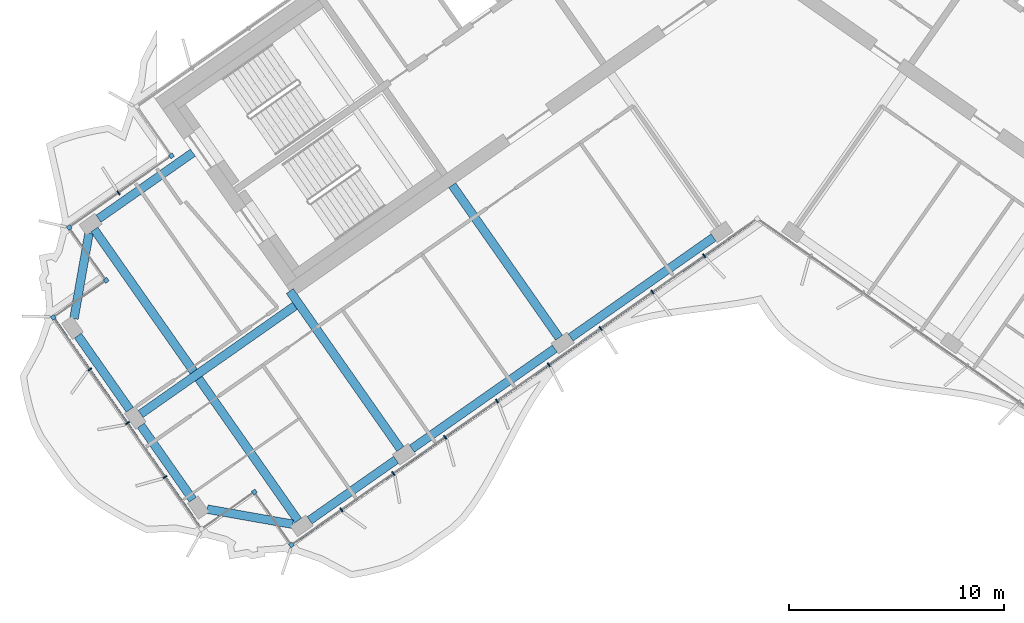
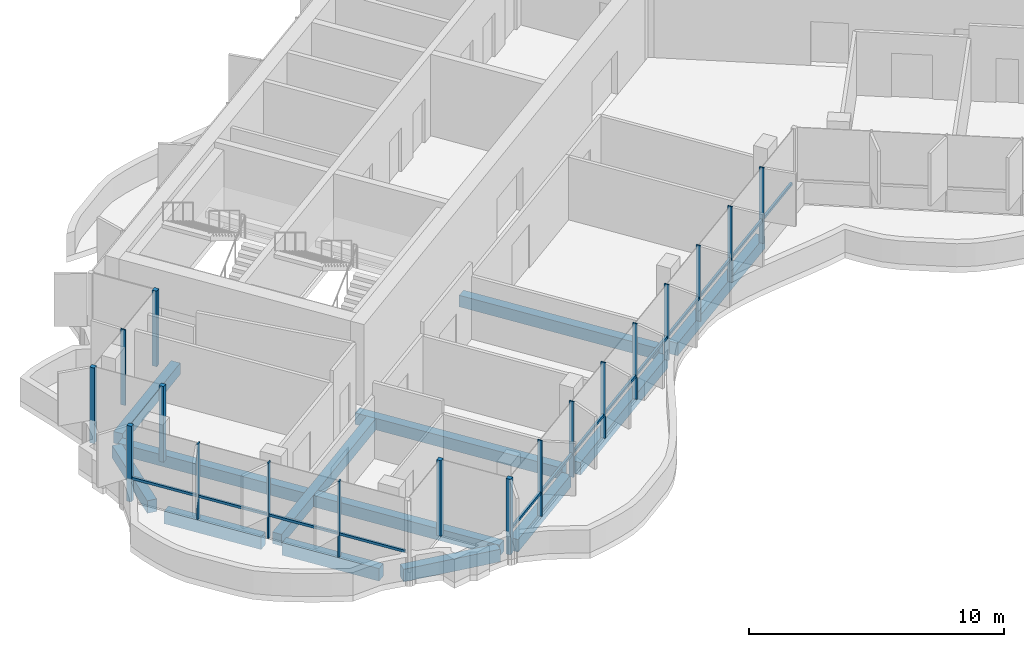
# One storey, part 2 of 17: 20 members, 12 beams, 2 elements without a shape of their own.
"""IFC4 building model written with IfcOpenShell, lengths in metres."""

from ifc_helpers import new_model, si_unit, direction, frame, origin, origin_2d, place, context, subcontext, project, spatial, rectangle, extrude, material, material_profile, profile_set, type_object, element, aggregate, save


model = new_model("IFC4")

# Units and contexts
model_context = context("Model", 3, precision=1e-05, world=origin(), true_north=direction((0.0, 1.0)))
body_context = subcontext(model_context, "Body", "Model", "MODEL_VIEW")
ifc_project = project(units=[si_unit("LENGTHUNIT", "METRE"), si_unit("AREAUNIT", "SQUARE_METRE"), si_unit("VOLUMEUNIT", "CUBIC_METRE"), si_unit("PLANEANGLEUNIT", "RADIAN"), si_unit("MASSUNIT", "GRAM", prefix="KILO")], contexts=[model_context])

# Site, building, storey
site_placement = place(None, origin())
site = spatial("IfcSite", under=ifc_project, at=site_placement, CompositionType="ELEMENT")
building_placement = place(site_placement, origin())
building = spatial("IfcBuilding", under=site, at=building_placement, Name="Tel Ilan Convention Tower", CompositionType="ELEMENT")
storey_placement = place(building_placement, frame((0.0, 0.0, 280.0)))
storey = spatial("IfcBuildingStorey", under=building, at=storey_placement, Name="L66", CompositionType="ELEMENT", Elevation=280.0)

# Beams
ifc_material_1 = material(Name="Concrete C40/50", Category="concrete")
ifc_material_profile_1 = material_profile(ifc_material_1, rectangle(XDim=0.39990234375, YDim=0.550048828125, at=origin_2d()), Name="RC 400x550")
ifc_profile_set_1 = profile_set([ifc_material_profile_1], Name="Concrete C40/50")
beam_type_1 = type_object("IfcBeamType", Name="Beam RC 400x550 Concrete C40/50", PredefinedType="BEAM", material=ifc_profile_set_1)
beam_1_placement = place(storey_placement, frame((-30.6005859375, -12.6982421875, -0.554931640625), z_axis=(0.819146154531, 0.573584847705, 0.0), x_axis=(-0.573584847705, 0.819146154531, 0.0)))
element("IfcBeam", 1, at=beam_1_placement, inside=storey, type_object=beam_type_1, Name="L66 beam W-W-BC-core", PredefinedType="BEAM", context=body_context, shape_type="SweptSolid", body=[
    extrude(rectangle(XDim=0.39990234375, YDim=0.550048828125, at=origin_2d()), origin(), (0.0, 0.0, 1.0), 5.349853515625),
])
beam_2_placement = place(storey_placement, frame((-9.209716796875, -18.229248046875, -0.554931640625), z_axis=(-0.573574099654, 0.819153680457, 0.0), x_axis=(-0.819153680457, -0.573574099654, 0.0)))
element("IfcBeam", 2, at=beam_2_placement, inside=storey, type_object=beam_type_1, Name="L66 beam W-W-F2-core", PredefinedType="BEAM", context=body_context, shape_type="SweptSolid", body=[
    extrude(rectangle(XDim=0.39990234375, YDim=0.550048828125, at=origin_2d()), origin(), (0.0, 0.0, 1.0), 8.64990234375),
])
beam_3_placement = place(storey_placement, frame((-16.58203125, -23.391357421875, -0.554931640625), z_axis=(-0.573584999642, 0.819146048141, 0.0), x_axis=(-0.819146048141, -0.573584999642, 0.0)))
element("IfcBeam", 3, at=beam_3_placement, inside=storey, type_object=beam_type_1, Name="L66 beam W-W-F3-core", PredefinedType="BEAM", context=body_context, shape_type="SweptSolid", body=[
    extrude(rectangle(XDim=0.39990234375, YDim=0.550048828125, at=origin_2d()), origin(), (0.0, 0.0, 1.0), 8.949951171875),
])
beam_4_placement = place(storey_placement, frame((-21.477783203125, -16.748046875, -0.554931640625), z_axis=(-0.819157197737, -0.573569076395, 0.0), x_axis=(0.573569076395, -0.819157197737, 0.0)))
element("IfcBeam", 4, at=beam_4_placement, inside=storey, type_object=beam_type_1, Name="L66 beam W-core-end", PredefinedType="BEAM", context=body_context, shape_type="SweptSolid", body=[
    extrude(rectangle(XDim=0.39990234375, YDim=0.550048828125, at=origin_2d()), origin(), (0.0, 0.0, 1.0), 8.75),
])
beam_5_placement = place(storey_placement, frame((-21.333251953125, -26.718017578125, -0.554931640625), z_axis=(-0.573574554643, 0.819153361872, 0.0), x_axis=(-0.819153361872, -0.573574554643, 0.0)))
element("IfcBeam", 5, at=beam_5_placement, inside=storey, type_object=beam_type_1, Name="L66 beam W-W-FC-W-BC", PredefinedType="BEAM", context=body_context, shape_type="SweptSolid", body=[
    extrude(rectangle(XDim=0.39990234375, YDim=0.550048828125, at=origin_2d()), origin(), (0.0, 0.0, 1.0), 16.499755859375),
])
ifc_material_2 = material(Name="Concrete C40/50", Category="concrete")
ifc_material_profile_2 = material_profile(ifc_material_2, rectangle(XDim=0.39990234375, YDim=0.60009765625, at=origin_2d()), Name="RC 400x600")
ifc_profile_set_2 = profile_set([ifc_material_profile_2], Name="Concrete C40/50")
beam_type_2 = type_object("IfcBeamType", Name="Beam RC 400x600 Concrete C40/50", PredefinedType="BEAM", material=ifc_profile_set_2)
beam_6_placement = place(storey_placement, frame((-2.033935546875, -13.57080078125, -0.580078125), z_axis=(-0.81914553362, -0.573585734437, 0.0), x_axis=(0.573585734437, -0.81914553362, 0.0)))
element("IfcBeam", 6, at=beam_6_placement, inside=storey, type_object=beam_type_2, Name="L66 beam W-W-F1-W-F2", PredefinedType="BEAM", context=body_context, shape_type="SweptSolid", body=[
    extrude(rectangle(XDim=0.39990234375, YDim=0.60009765625, at=origin_2d()), origin(), (0.0, 0.0, 1.0), 8.099853515625),
])
beam_7_placement = place(storey_placement, frame((-9.40625, -18.73291015625, -0.580078125), z_axis=(-0.819155449703, -0.573571572885, 0.0), x_axis=(0.573571572885, -0.819155449703, 0.0)))
element("IfcBeam", 7, at=beam_7_placement, inside=storey, type_object=beam_type_2, Name="L66 beam W-W-F2-W-F3", PredefinedType="BEAM", context=body_context, shape_type="SweptSolid", body=[
    extrude(rectangle(XDim=0.39990234375, YDim=0.60009765625, at=origin_2d()), origin(), (0.0, 0.0, 1.0), 8.10009765625),
])
beam_8_placement = place(storey_placement, frame((-16.778564453125, -23.895263671875, -0.580078125), z_axis=(-0.819154669329, -0.573572687386, 0.0), x_axis=(0.573572687386, -0.819154669329, 0.0)))
element("IfcBeam", 8, at=beam_8_placement, inside=storey, type_object=beam_type_2, Name="L66 beam W-W-F3-W-FC", PredefinedType="BEAM", context=body_context, shape_type="SweptSolid", body=[
    extrude(rectangle(XDim=0.39990234375, YDim=0.60009765625, at=origin_2d()), origin(), (0.0, 0.0, 1.0), 4.900146484375),
])
beam_9_placement = place(storey_placement, frame((-21.578857421875, -26.89013671875, -0.580078125), z_axis=(-0.984804894423, 0.173664388751, 0.0), x_axis=(-0.173664388751, -0.984804894423, 0.0)))
element("IfcBeam", 9, at=beam_9_placement, inside=storey, type_object=beam_type_2, Name="L66 beam W-W-FC-W-E1", PredefinedType="BEAM", context=body_context, shape_type="SweptSolid", body=[
    extrude(rectangle(XDim=0.39990234375, YDim=0.60009765625, at=origin_2d()), origin(), (0.0, 0.0, 1.0), 4.030517578125),
])
for number, where, z_axis, x_axis, name in (
    (10, (-26.22412109375, -25.748046875, -0.580078125), (-0.573563773994, 0.819160910421, 0.0), (-0.819160910421, -0.573563773994, 0.0), "L66 beam W-W-E1-W-E2"),
    (11, (-29.1494140625, -21.5703125, -0.580078125), (-0.573563773994, 0.819160910421, 0.0), (-0.819160910421, -0.573563773994, 0.0), "L66 beam W-W-E2-W-E3"),
):
    element("IfcBeam", number, at=place(storey_placement, frame(where, z_axis=z_axis, x_axis=x_axis)), inside=storey, type_object=beam_type_2, Name=name, PredefinedType="BEAM", context=body_context, shape_type="SweptSolid", body=[
        extrude(rectangle(XDim=0.39990234375, YDim=0.60009765625, at=origin_2d()), origin(), (0.0, 0.0, 1.0), 4.199951171875),
    ])
beam_10_placement = place(storey_placement, frame((-31.742919921875, -17.343505859375, -0.580078125), z_axis=(0.173664388751, 0.984804894423, 0.0), x_axis=(-0.984804894423, 0.173664388751, 0.0)))
element("IfcBeam", 12, at=beam_10_placement, inside=storey, type_object=beam_type_2, Name="L66 beam W-W-E3-W-BC", PredefinedType="BEAM", context=body_context, shape_type="SweptSolid", body=[
    extrude(rectangle(XDim=0.39990234375, YDim=0.60009765625, at=origin_2d()), origin(), (0.0, 0.0, 1.0), 4.030517578125),
])

# Curtain wall, member
ifc_material_3 = material(Name="Aluminium, bronze anodised", Category="aluminium")
curtain_wall_type_1 = type_object("IfcCurtainWallType", Name="CW2 STICK CURTAIN WALL, SPANDREL PANELS", PredefinedType="NOTDEFINED", material=ifc_material_3)
curtain_wall_1_placement = place(storey_placement, origin())
curtain_wall_1 = element("IfcCurtainWall", 13, at=curtain_wall_1_placement, inside=storey, type_object=curtain_wall_type_1, Name="Curtain wall CW2-50.01", PredefinedType="NOTDEFINED")
ifc_material_4 = material(Name="Aluminium, bronze anodised", Category="aluminium")
ifc_material_profile_3 = material_profile(ifc_material_4, rectangle(XDim=0.199951171875, YDim=0.199951171875, at=origin_2d()), Name="CW CORNER MULLION 200x200")
ifc_profile_set_3 = profile_set([ifc_material_profile_3], Name="Aluminium, bronze anodised")
member_type_1 = type_object("IfcMemberType", Name="CW CORNER MULLION 200x200", PredefinedType="MULLION", material=ifc_profile_set_3)
member_1_placement = place(storey_placement, frame((-27.213623046875, -9.77734375, 0.0), z_axis=(0.0, 0.0, 1.0), x_axis=(0.573576436351, -0.819152044289, 0.0)))
member_1 = element("IfcMember", 14, at=member_1_placement, type_object=member_type_1, Name="Corner mullion", PredefinedType="MULLION", context=body_context, shape_type="SweptSolid", body=[
    extrude(rectangle(XDim=0.199951171875, YDim=0.199951171875, at=origin_2d()), origin(), (0.0, 0.0, 1.0), 3.6201171875),
])
aggregate(curtain_wall_1, [member_1])

# Curtain wall, members
ifc_material_5 = material(Name="Aluminium, bronze anodised", Category="aluminium")
curtain_wall_type_2 = type_object("IfcCurtainWallType", Name="CW5 STICK CURTAIN WALL, UPPER OFFICE LOW-IRON TINTED GLASS", PredefinedType="NOTDEFINED", material=ifc_material_5)
curtain_wall_2_placement = place(storey_placement, origin())
curtain_wall_2 = element("IfcCurtainWall", 15, at=curtain_wall_2_placement, inside=storey, type_object=curtain_wall_type_2, Name="Curtain wall CW5-50.02", PredefinedType="NOTDEFINED")
member_2_placement = place(storey_placement, frame((-31.964599609375, -13.10400390625, 0.0), z_axis=(0.0, 0.0, 1.0), x_axis=(-0.819152044289, -0.573576436351, 0.0)))
member_2 = element("IfcMember", 16, at=member_2_placement, type_object=member_type_1, Name="Corner mullion", PredefinedType="MULLION", context=body_context, shape_type="SweptSolid", body=[
    extrude(rectangle(XDim=0.199951171875, YDim=0.199951171875, at=origin_2d()), origin(), (0.0, 0.0, 1.0), 3.6201171875),
])
member_3_placement = place(storey_placement, frame((-30.243896484375, -15.5615234375, 0.0), z_axis=(0.0, 0.0, 1.0), x_axis=(0.573576436351, -0.819152044289, 0.0)))
member_3 = element("IfcMember", 17, at=member_3_placement, type_object=member_type_1, Name="Corner mullion", PredefinedType="MULLION", context=body_context, shape_type="SweptSolid", body=[
    extrude(rectangle(XDim=0.199951171875, YDim=0.199951171875, at=origin_2d()), origin(), (0.0, 0.0, 1.0), 3.6201171875),
])
member_4_placement = place(storey_placement, frame((-32.701416015625, -17.2822265625, 0.0), z_axis=(0.0, 0.0, 1.0), x_axis=(-0.819152044289, -0.573576436351, 0.0)))
member_4 = element("IfcMember", 18, at=member_4_placement, type_object=member_type_1, Name="Corner mullion", PredefinedType="MULLION", context=body_context, shape_type="SweptSolid", body=[
    extrude(rectangle(XDim=0.199951171875, YDim=0.199951171875, at=origin_2d()), origin(), (0.0, 0.0, 1.0), 3.6201171875),
])
member_5_placement = place(storey_placement, frame((-23.36083984375, -25.391357421875, 0.0), z_axis=(0.0, 0.0, 1.0), x_axis=(0.819152044289, 0.573576436351, 0.0)))
member_5 = element("IfcMember", 19, at=member_5_placement, type_object=member_type_1, Name="Corner mullion", PredefinedType="MULLION", context=body_context, shape_type="SweptSolid", body=[
    extrude(rectangle(XDim=0.199951171875, YDim=0.199951171875, at=origin_2d()), origin(), (0.0, 0.0, 1.0), 3.6201171875),
])
member_6_placement = place(storey_placement, frame((-21.64013671875, -27.8486328125, 0.0), z_axis=(0.0, 0.0, 1.0), x_axis=(0.573576436351, -0.819152044289, 0.0)))
member_6 = element("IfcMember", 20, at=member_6_placement, type_object=member_type_1, Name="Corner mullion", PredefinedType="MULLION", context=body_context, shape_type="SweptSolid", body=[
    extrude(rectangle(XDim=0.199951171875, YDim=0.199951171875, at=origin_2d()), origin(), (0.0, 0.0, 1.0), 3.6201171875),
])
ifc_material_6 = material(Name="Aluminium, bronze anodised", Category="aluminium")
ifc_material_profile_4 = material_profile(ifc_material_6, rectangle(XDim=0.06005859375, YDim=0.199951171875, at=origin_2d()), Name="CW MULLION 60x200")
ifc_profile_set_4 = profile_set([ifc_material_profile_4], Name="Aluminium, bronze anodised")
member_type_2 = type_object("IfcMemberType", Name="CW MULLION 60x200", PredefinedType="MULLION", material=ifc_profile_set_4)
member_7_placement = place(storey_placement, frame((-29.6708984375, -11.498046875, 0.0), z_axis=(0.0, 0.0, 1.0), x_axis=(-0.819152044289, -0.573576436351, 0.0)))
member_7 = element("IfcMember", 21, at=member_7_placement, type_object=member_type_2, Name="Mullion", PredefinedType="MULLION", context=body_context, shape_type="SweptSolid", body=[
    extrude(rectangle(XDim=0.06005859375, YDim=0.199951171875, at=origin_2d()), origin(), (0.0, 0.0, 1.0), 3.6201171875),
])
member_8_placement = place(storey_placement, frame((-31.00927734375, -19.69873046875, 0.0), z_axis=(0.0, 0.0, 1.0), x_axis=(0.573576436351, -0.819152044289, 0.0)))
member_8 = element("IfcMember", 22, at=member_8_placement, type_object=member_type_2, Name="Mullion", PredefinedType="MULLION", context=body_context, shape_type="SweptSolid", body=[
    extrude(rectangle(XDim=0.06005859375, YDim=0.199951171875, at=origin_2d()), origin(), (0.0, 0.0, 1.0), 3.6201171875),
])
member_9_placement = place(storey_placement, frame((-29.259765625, -22.197021484375, 0.0), z_axis=(0.0, 0.0, 1.0), x_axis=(0.573576436351, -0.819152044289, 0.0)))
member_9 = element("IfcMember", 23, at=member_9_placement, type_object=member_type_2, Name="Mullion", PredefinedType="MULLION", context=body_context, shape_type="SweptSolid", body=[
    extrude(rectangle(XDim=0.06005859375, YDim=0.199951171875, at=origin_2d()), origin(), (0.0, 0.0, 1.0), 3.6201171875),
])
member_10_placement = place(storey_placement, frame((-27.510498046875, -24.695556640625, 0.0), z_axis=(0.0, 0.0, 1.0), x_axis=(0.573576436351, -0.819152044289, 0.0)))
member_10 = element("IfcMember", 24, at=member_10_placement, type_object=member_type_2, Name="Mullion", PredefinedType="MULLION", context=body_context, shape_type="SweptSolid", body=[
    extrude(rectangle(XDim=0.06005859375, YDim=0.199951171875, at=origin_2d()), origin(), (0.0, 0.0, 1.0), 3.6201171875),
])
member_11_placement = place(storey_placement, frame((-19.31494140625, -26.220458984375, 0.0), z_axis=(0.0, 0.0, 1.0), x_axis=(0.819152044289, 0.573576436351, 0.0)))
member_11 = element("IfcMember", 25, at=member_11_placement, type_object=member_type_2, Name="Mullion", PredefinedType="MULLION", context=body_context, shape_type="SweptSolid", body=[
    extrude(rectangle(XDim=0.06005859375, YDim=0.199951171875, at=origin_2d()), origin(), (0.0, 0.0, 1.0), 3.6201171875),
])
member_12_placement = place(storey_placement, frame((-16.90771484375, -24.534912109375, 0.0), z_axis=(0.0, 0.0, 1.0), x_axis=(0.819152044289, 0.573576436351, 0.0)))
member_12 = element("IfcMember", 26, at=member_12_placement, type_object=member_type_2, Name="Mullion", PredefinedType="MULLION", context=body_context, shape_type="SweptSolid", body=[
    extrude(rectangle(XDim=0.06005859375, YDim=0.199951171875, at=origin_2d()), origin(), (0.0, 0.0, 1.0), 3.6201171875),
])
member_13_placement = place(storey_placement, frame((-14.50048828125, -22.849365234375, 0.0), z_axis=(0.0, 0.0, 1.0), x_axis=(0.819152044289, 0.573576436351, 0.0)))
member_13 = element("IfcMember", 27, at=member_13_placement, type_object=member_type_2, Name="Mullion", PredefinedType="MULLION", context=body_context, shape_type="SweptSolid", body=[
    extrude(rectangle(XDim=0.06005859375, YDim=0.199951171875, at=origin_2d()), origin(), (0.0, 0.0, 1.0), 3.6201171875),
])
member_14_placement = place(storey_placement, frame((-12.09326171875, -21.163818359375, 0.0), z_axis=(0.0, 0.0, 1.0), x_axis=(0.819152044289, 0.573576436351, 0.0)))
member_14 = element("IfcMember", 28, at=member_14_placement, type_object=member_type_2, Name="Mullion", PredefinedType="MULLION", context=body_context, shape_type="SweptSolid", body=[
    extrude(rectangle(XDim=0.06005859375, YDim=0.199951171875, at=origin_2d()), origin(), (0.0, 0.0, 1.0), 3.6201171875),
])
member_15_placement = place(storey_placement, frame((-9.68603515625, -19.478271484375, 0.0), z_axis=(0.0, 0.0, 1.0), x_axis=(0.819152044289, 0.573576436351, 0.0)))
member_15 = element("IfcMember", 29, at=member_15_placement, type_object=member_type_2, Name="Mullion", PredefinedType="MULLION", context=body_context, shape_type="SweptSolid", body=[
    extrude(rectangle(XDim=0.06005859375, YDim=0.199951171875, at=origin_2d()), origin(), (0.0, 0.0, 1.0), 3.6201171875),
])
member_16_placement = place(storey_placement, frame((-7.279052734375, -17.792724609375, 0.0), z_axis=(0.0, 0.0, 1.0), x_axis=(0.819152044289, 0.573576436351, 0.0)))
member_16 = element("IfcMember", 30, at=member_16_placement, type_object=member_type_2, Name="Mullion", PredefinedType="MULLION", context=body_context, shape_type="SweptSolid", body=[
    extrude(rectangle(XDim=0.06005859375, YDim=0.199951171875, at=origin_2d()), origin(), (0.0, 0.0, 1.0), 3.6201171875),
])
member_17_placement = place(storey_placement, frame((-4.871826171875, -16.107177734375, 0.0), z_axis=(0.0, 0.0, 1.0), x_axis=(0.819152044289, 0.573576436351, 0.0)))
member_17 = element("IfcMember", 31, at=member_17_placement, type_object=member_type_2, Name="Mullion", PredefinedType="MULLION", context=body_context, shape_type="SweptSolid", body=[
    extrude(rectangle(XDim=0.06005859375, YDim=0.199951171875, at=origin_2d()), origin(), (0.0, 0.0, 1.0), 3.6201171875),
])
member_18_placement = place(storey_placement, frame((-2.464599609375, -14.421875, 0.0), z_axis=(0.0, 0.0, 1.0), x_axis=(0.819152044289, 0.573576436351, 0.0)))
member_18 = element("IfcMember", 32, at=member_18_placement, type_object=member_type_2, Name="Mullion", PredefinedType="MULLION", context=body_context, shape_type="SweptSolid", body=[
    extrude(rectangle(XDim=0.06005859375, YDim=0.199951171875, at=origin_2d()), origin(), (0.0, 0.0, 1.0), 3.6201171875),
])
ifc_material_7 = material(Name="Aluminium, bronze anodised", Category="aluminium")
ifc_material_profile_5 = material_profile(ifc_material_7, rectangle(XDim=0.10009765625, YDim=0.1201171875, at=origin_2d()), Name="CW TRANSOM 100x120")
ifc_profile_set_5 = profile_set([ifc_material_profile_5], Name="Aluminium, bronze anodised")
member_type_3 = type_object("IfcMemberType", Name="CW TRANSOM 100x120", PredefinedType="USERDEFINED", material=ifc_profile_set_5)
member_19_placement = place(storey_placement, frame((-32.64404296875, -17.364013671875, 1.10009765625), z_axis=(0.573581755582, -0.819148319698, 0.0), x_axis=(0.819148319698, 0.573581755582, 0.0)))
member_19 = element("IfcMember", 33, at=member_19_placement, type_object=member_type_3, Name="Transom", ObjectType="TRANSOM", PredefinedType="USERDEFINED", context=body_context, shape_type="SweptSolid", body=[
    extrude(rectangle(XDim=0.10009765625, YDim=0.1201171875, at=origin_2d()), origin(), (0.0, 0.0, 1.0), 11.800048828125),
])
member_20_placement = place(storey_placement, frame((-21.558349609375, -27.791259765625, 1.10009765625), z_axis=(0.819152212587, 0.573576195996, 0.0), x_axis=(-0.573576195996, 0.819152212587, 0.0)))
member_20 = element("IfcMember", 34, at=member_20_placement, type_object=member_type_3, Name="Transom", ObjectType="TRANSOM", PredefinedType="USERDEFINED", context=body_context, shape_type="SweptSolid", body=[
    extrude(rectangle(XDim=0.10009765625, YDim=0.1201171875, at=origin_2d()), origin(), (0.0, 0.0, 1.0), 26.0478515625),
])
aggregate(curtain_wall_2, [member_7, member_2, member_3, member_4, member_8, member_9, member_10, member_19, member_5, member_6, member_11, member_12, member_13, member_14, member_15, member_16, member_17, member_18, member_20])

save(model, "model.ifc")
